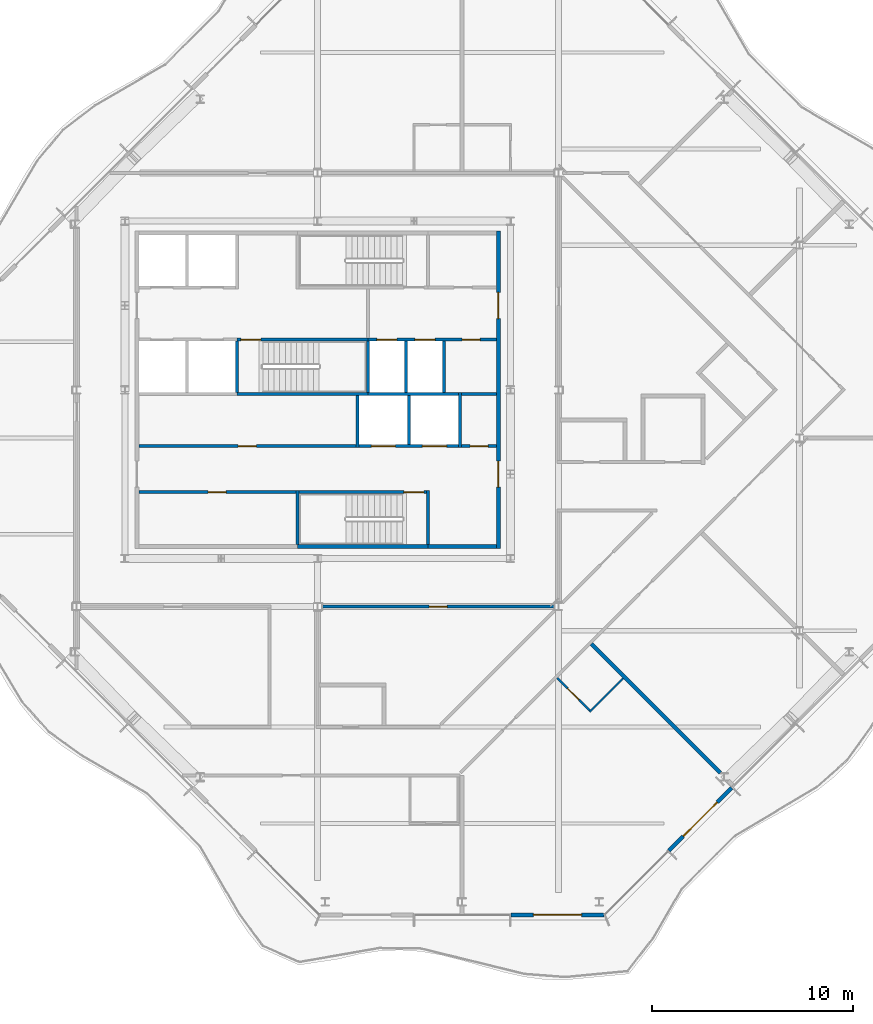
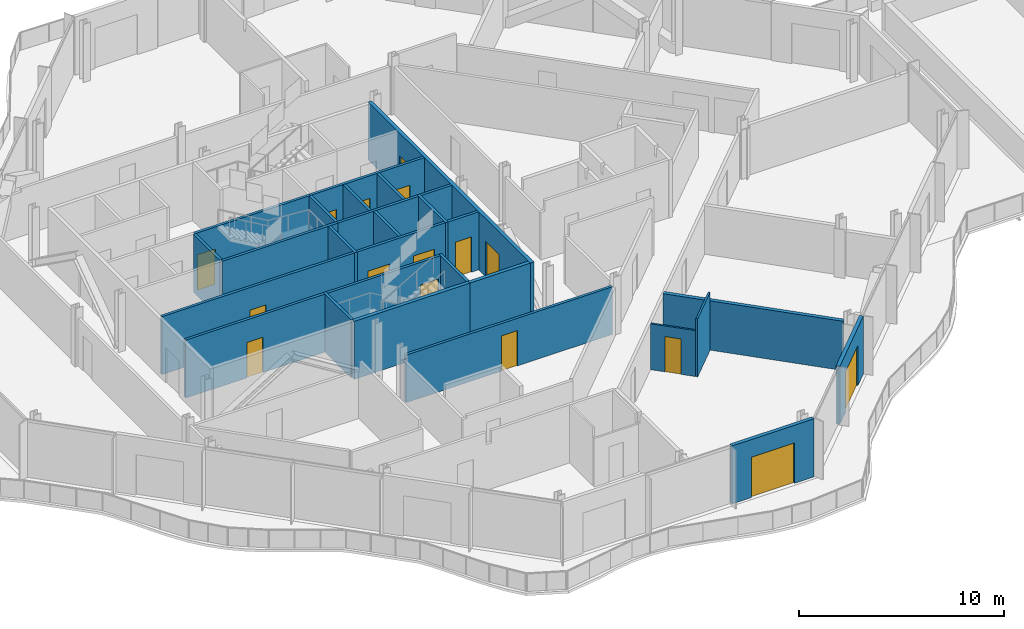
# One storey, part 8 of 16: 28 walls, 16 doors, 16 openings.
"""IFC4 building model written with IfcOpenShell, lengths in metres."""

from ifc_helpers import new_model, si_unit, direction, frame, frame_2d, origin, place, context, subcontext, project, spatial, rectangle, extrude, material, layer, layer_set, type_object, element, fill, save


model = new_model("IFC4")

# Units and contexts
model_context = context("Model", 3, precision=1e-05, world=origin(), true_north=direction((0.0, 1.0)))
body_context = subcontext(model_context, "Body", "Model", "MODEL_VIEW")
ifc_project = project(units=[si_unit("LENGTHUNIT", "METRE"), si_unit("AREAUNIT", "SQUARE_METRE"), si_unit("VOLUMEUNIT", "CUBIC_METRE"), si_unit("PLANEANGLEUNIT", "RADIAN"), si_unit("MASSUNIT", "GRAM", prefix="KILO")], contexts=[model_context])

# Site, building, storey
site_placement = place(None, origin())
site = spatial("IfcSite", under=ifc_project, at=site_placement, CompositionType="ELEMENT")
building_placement = place(site_placement, origin())
building = spatial("IfcBuilding", under=site, at=building_placement, Name="Cairn Pilgrim Tower", CompositionType="ELEMENT")
storey_placement = place(building_placement, frame((0.0, 0.0, 267.0)))
storey = spatial("IfcBuildingStorey", under=building, at=storey_placement, Name="L68", CompositionType="ELEMENT", Elevation=267.0)

# Wall, opening, door
ifc_material_1 = material(Name="Bronze anodised aluminium insulated sandwich panel with mineral wool fill", Category="aluminium")
ifc_layer_1 = layer(ifc_material_1, 0.199951171875)
ifc_layer_set_1 = layer_set([ifc_layer_1], Name="BRONZE INFILL FRAME WALL 200")
wall_type_1 = type_object("IfcWallType", Name="BRONZE INFILL FRAME WALL 200", PredefinedType="NOTDEFINED", material=ifc_layer_set_1)
wall_1_placement = place(storey_placement, frame((16.830078125, -23.75, 0.0), z_axis=(0.0, 0.0, 1.0), x_axis=(1.0, 0.0, 0.0)))
wall_1 = element("IfcWall", 1, at=wall_1_placement, inside=storey, type_object=wall_type_1, Name="Bronze infill frame wall IW-S3", PredefinedType="NOTDEFINED", context=body_context, shape_type="SweptSolid", body=[
    extrude(rectangle(XDim=4.62646484375, YDim=0.199951171875, at=frame_2d((2.313232421875, 0.0))), origin(), (0.0, 0.0, 1.0), 3.449951171875),
])
opening_1_placement = place(wall_1_placement, frame((1.117919921875, 0.0, 0.0)))
opening_1 = element("IfcOpeningElement", 2, at=opening_1_placement, cuts=wall_1, Name="Opening 6803B", PredefinedType="OPENING", context=body_context, shape_type="SweptSolid", body=[
    extrude(rectangle(XDim=2.39990234375, YDim=2.39990234375, at=frame_2d((1.199951171875, 1.199951171875))), frame((0.0, 0.10986328125, 0.0), z_axis=(0.0, -1.0, 0.0), x_axis=(1.0, 0.0, 0.0)), (0.0, 0.0, 1.0), 0.219970703125),
])
ifc_material_2 = material(Name="Bronze anodised aluminium frame with tinted low-E glass", Category="aluminium")
door_type_1 = type_object("IfcDoorType", Name="BALCONY SLIDING DOOR 2400x2400", OperationType="DOUBLE_DOOR_SLIDING", PredefinedType="DOOR", material=ifc_material_2)
door_1_placement = place(opening_1_placement, origin())
door_1 = element("IfcDoor", 3, at=door_1_placement, inside=storey, type_object=door_type_1, Name="Balcony sliding door 6803B", OperationType="SINGLE_SWING_LEFT", OverallHeight=2.39990234375, OverallWidth=2.39990234375, PredefinedType="DOOR", context=body_context, shape_type="SweptSolid", body=[
    extrude(rectangle(XDim=2.39990234375, YDim=2.39990234375, at=frame_2d((1.199951171875, 1.199951171875))), frame((0.0, 0.02490234375, 0.0), z_axis=(0.0, -1.0, 0.0), x_axis=(1.0, 0.0, 0.0)), (0.0, 0.0, 1.0), 0.050048828125),
])
fill(opening_1, door_1)

wall_2_placement = place(storey_placement, frame((24.693359375, -20.55322265625, 0.0), z_axis=(0.0, 0.0, 1.0), x_axis=(0.707079231393, 0.707134329907, 0.0)))
wall_2 = element("IfcWall", 4, at=wall_2_placement, inside=storey, type_object=wall_type_1, Name="Bronze infill frame wall IW-SE2", PredefinedType="NOTDEFINED", context=body_context, shape_type="SweptSolid", body=[
    extrude(rectangle(XDim=4.430908203125, YDim=0.199951171875, at=frame_2d((2.21533203125, 0.0))), origin(), (0.0, 0.0, 1.0), 3.449951171875),
])
opening_2_placement = place(wall_2_placement, frame((1.015380859375, 0.0, 0.0)))
opening_2 = element("IfcOpeningElement", 5, at=opening_2_placement, cuts=wall_2, Name="Opening 6803B2", PredefinedType="OPENING", context=body_context, shape_type="SweptSolid", body=[
    extrude(rectangle(XDim=2.39990234375, YDim=2.39990234375, at=frame_2d((1.199951171875, 1.199951171875))), frame((0.0, 0.10986328125, 0.0), z_axis=(0.0, -1.0, 0.0), x_axis=(1.0, 0.0, 0.0)), (0.0, 0.0, 1.0), 0.219970703125),
])
door_2_placement = place(opening_2_placement, origin())
door_2 = element("IfcDoor", 6, at=door_2_placement, inside=storey, type_object=door_type_1, Name="Balcony sliding door 6803B2", OperationType="SINGLE_SWING_LEFT", OverallHeight=2.39990234375, OverallWidth=2.39990234375, PredefinedType="DOOR", context=body_context, shape_type="SweptSolid", body=[
    extrude(rectangle(XDim=2.39990234375, YDim=2.39990234375, at=frame_2d((1.199951171875, 1.199951171875))), frame((0.0, 0.02490234375, 0.0), z_axis=(0.0, -1.0, 0.0), x_axis=(1.0, 0.0, 0.0)), (0.0, 0.0, 1.0), 0.050048828125),
])
fill(opening_2, door_2)

# Wall
ifc_material_3 = material(Name="Concrete C32/40", Category="concrete")
ifc_layer_2 = layer(ifc_material_3, 0.199951171875)
ifc_layer_set_2 = layer_set([ifc_layer_2], Name="CORE OUTER WALL 200 EI 120")
wall_type_2 = type_object("IfcWallType", Name="CORE OUTER WALL 200 EI 120", PredefinedType="SOLIDWALL", material=ifc_layer_set_2)
wall_3_placement = place(storey_placement, frame((12.699951171875, -5.39990234375, 0.0), z_axis=(0.0, 0.0, 1.0), x_axis=(1.0, 0.0, 0.0)))
element("IfcWall", 7, at=wall_3_placement, inside=storey, type_object=wall_type_2, Name="CW:L68:H01-3", PredefinedType="SOLIDWALL", context=body_context, shape_type="SweptSolid", body=[
    extrude(rectangle(XDim=3.400146484375, YDim=0.199951171875, at=frame_2d((1.7001953125, 0.0))), origin(), (0.0, 0.0, 1.0), 3.449951171875),
])

# Wall, openings, doors
wall_4_placement = place(storey_placement, frame((16.199951171875, -5.5, 0.0), z_axis=(0.0, 0.0, 1.0), x_axis=(0.0, 1.0, 0.0)))
wall_4 = element("IfcWall", 8, at=wall_4_placement, inside=storey, type_object=wall_type_2, Name="CW:L68:V29", PredefinedType="SOLIDWALL", context=body_context, shape_type="SweptSolid", body=[
    extrude(rectangle(XDim=15.800048828125, YDim=0.199951171875, at=frame_2d((7.89990234375, 0.0))), origin(), (0.0, 0.0, 1.0), 3.449951171875),
])
opening_3_placement = place(wall_4_placement, frame((3.050048828125, 0.0, 0.0)))
opening_3 = element("IfcOpeningElement", 9, at=opening_3_placement, cuts=wall_4, Name="Opening CD-E1", PredefinedType="OPENING", context=body_context, shape_type="SweptSolid", body=[
    extrude(rectangle(XDim=1.300048828125, YDim=2.10009765625, at=frame_2d((0.64990234375, 1.050048828125))), frame((0.0, 0.10986328125, 0.0), z_axis=(0.0, -1.0, 0.0), x_axis=(1.0, 0.0, 0.0)), (0.0, 0.0, 1.0), 0.219970703125),
])
opening_4_placement = place(wall_4_placement, frame((11.449951171875, 0.0, 0.0)))
opening_4 = element("IfcOpeningElement", 10, at=opening_4_placement, cuts=wall_4, Name="Opening CD-E2", PredefinedType="OPENING", context=body_context, shape_type="SweptSolid", body=[
    extrude(rectangle(XDim=1.300048828125, YDim=2.10009765625, at=frame_2d((0.64990234375, 1.050048828125))), frame((0.0, 0.10986328125, 0.0), z_axis=(0.0, -1.0, 0.0), x_axis=(1.0, 0.0, 0.0)), (0.0, 0.0, 1.0), 0.219970703125),
])
ifc_material_4 = material(Name="Painted steel", Category="steel")
door_type_2 = type_object("IfcDoorType", Name="CORE LOBBY DOOR 1300x2100", OperationType="DOUBLE_DOOR_SINGLE_SWING", PredefinedType="DOOR", material=ifc_material_4)
door_3_placement = place(opening_3_placement, origin())
door_3 = element("IfcDoor", 11, at=door_3_placement, inside=storey, type_object=door_type_2, Name="CD-E1", OperationType="DOUBLE_DOOR_SINGLE_SWING", OverallHeight=2.10009765625, OverallWidth=1.300048828125, PredefinedType="DOOR", context=body_context, shape_type="SweptSolid", body=[
    extrude(rectangle(XDim=1.300048828125, YDim=2.10009765625, at=frame_2d((0.64990234375, 1.050048828125))), frame((0.0, 0.02490234375, 0.0), z_axis=(0.0, -1.0, 0.0), x_axis=(1.0, 0.0, 0.0)), (0.0, 0.0, 1.0), 0.050048828125),
])
fill(opening_3, door_3)
door_4_placement = place(opening_4_placement, origin())
door_4 = element("IfcDoor", 12, at=door_4_placement, inside=storey, type_object=door_type_2, Name="CD-E2", OperationType="DOUBLE_DOOR_SINGLE_SWING", OverallHeight=2.10009765625, OverallWidth=1.300048828125, PredefinedType="DOOR", context=body_context, shape_type="SweptSolid", body=[
    extrude(rectangle(XDim=1.300048828125, YDim=2.10009765625, at=frame_2d((0.64990234375, 1.050048828125))), frame((0.0, 0.02490234375, 0.0), z_axis=(0.0, -1.0, 0.0), x_axis=(1.0, 0.0, 0.0)), (0.0, 0.0, 1.0), 0.050048828125),
])
fill(opening_4, door_4)

# Wall, opening, door
ifc_layer_3 = layer(ifc_material_3, 0.14990234375)
ifc_layer_set_3 = layer_set([ifc_layer_3], Name="CORE PARTITION 150 EI 60")
wall_type_3 = type_object("IfcWallType", Name="CORE PARTITION 150 EI 60", PredefinedType="PARTITIONING", material=ifc_layer_set_3)
wall_5_placement = place(storey_placement, frame((-1.699951171875, -2.699951171875, 0.0), z_axis=(0.0, 0.0, 1.0), x_axis=(1.0, 0.0, 0.0)))
wall_5 = element("IfcWall", 13, at=wall_5_placement, inside=storey, type_object=wall_type_3, Name="CW:L68:H02", PredefinedType="PARTITIONING", context=body_context, shape_type="SweptSolid", body=[
    extrude(rectangle(XDim=7.824951171875, YDim=0.14990234375, at=frame_2d((3.91259765625, 0.0))), origin(), (0.0, 0.0, 1.0), 3.449951171875),
])
opening_5_placement = place(wall_5_placement, frame((3.449951171875, 0.0, 0.0)))
opening_5 = element("IfcOpeningElement", 14, at=opening_5_placement, cuts=wall_5, Name="Opening RD-R1W1", PredefinedType="OPENING", context=body_context, shape_type="SweptSolid", body=[
    extrude(rectangle(XDim=0.89990234375, YDim=2.10009765625, at=frame_2d((0.449951171875, 1.050048828125))), frame((0.0, 0.0849609375, 0.0), z_axis=(0.0, -1.0, 0.0), x_axis=(1.0, 0.0, 0.0)), (0.0, 0.0, 1.0), 0.169921875),
])
door_type_3 = type_object("IfcDoorType", Name="SERVICE ROOM DOOR 900x2100", OperationType="SINGLE_SWING_LEFT", PredefinedType="DOOR", material=ifc_material_4)
door_5_placement = place(opening_5_placement, origin())
door_5 = element("IfcDoor", 15, at=door_5_placement, inside=storey, type_object=door_type_3, Name="RD-R1W1", OperationType="SINGLE_SWING_LEFT", OverallHeight=2.10009765625, OverallWidth=0.89990234375, PredefinedType="DOOR", context=body_context, shape_type="SweptSolid", body=[
    extrude(rectangle(XDim=0.89990234375, YDim=2.10009765625, at=frame_2d((0.449951171875, 1.050048828125))), frame((0.0, 0.02490234375, 0.0), z_axis=(0.0, -1.0, 0.0), x_axis=(1.0, 0.0, 0.0)), (0.0, 0.0, 1.0), 0.050048828125),
])
fill(opening_5, door_5)

wall_6_placement = place(storey_placement, frame((-1.699951171875, -0.39990234375, 0.0), z_axis=(0.0, 0.0, 1.0), x_axis=(1.0, 0.0, 0.0)))
wall_6 = element("IfcWall", 16, at=wall_6_placement, inside=storey, type_object=wall_type_3, Name="CW:L68:H04", PredefinedType="PARTITIONING", context=body_context, shape_type="SweptSolid", body=[
    extrude(rectangle(XDim=10.824951171875, YDim=0.14990234375, at=frame_2d((5.41259765625, 0.0))), origin(), (0.0, 0.0, 1.0), 3.449951171875),
])
opening_6_placement = place(wall_6_placement, frame((4.949951171875, 0.0, 0.0)))
opening_6 = element("IfcOpeningElement", 17, at=opening_6_placement, cuts=wall_6, Name="Opening RD-R2W1", PredefinedType="OPENING", context=body_context, shape_type="SweptSolid", body=[
    extrude(rectangle(XDim=0.89990234375, YDim=2.10009765625, at=frame_2d((0.449951171875, 1.050048828125))), frame((0.0, 0.0849609375, 0.0), z_axis=(0.0, -1.0, 0.0), x_axis=(1.0, 0.0, 0.0)), (0.0, 0.0, 1.0), 0.169921875),
])
door_6_placement = place(opening_6_placement, origin())
door_6 = element("IfcDoor", 18, at=door_6_placement, inside=storey, type_object=door_type_3, Name="RD-R2W1", OperationType="SINGLE_SWING_RIGHT", OverallHeight=2.10009765625, OverallWidth=0.89990234375, PredefinedType="DOOR", context=body_context, shape_type="SweptSolid", body=[
    extrude(rectangle(XDim=0.89990234375, YDim=2.10009765625, at=frame_2d((0.449951171875, 1.050048828125))), frame((0.0, 0.02490234375, 0.0), z_axis=(0.0, -1.0, 0.0), x_axis=(1.0, 0.0, 0.0)), (0.0, 0.0, 1.0), 0.050048828125),
])
fill(opening_6, door_6)

wall_7_placement = place(storey_placement, frame((14.375, -0.39990234375, 0.0), z_axis=(0.0, 0.0, 1.0), x_axis=(1.0, 0.0, 0.0)))
wall_7 = element("IfcWall", 19, at=wall_7_placement, inside=storey, type_object=wall_type_3, Name="CW:L68:H06", PredefinedType="PARTITIONING", context=body_context, shape_type="SweptSolid", body=[
    extrude(rectangle(XDim=1.72509765625, YDim=0.14990234375, at=frame_2d((0.862548828125, 0.0))), origin(), (0.0, 0.0, 1.0), 3.449951171875),
])
opening_7_placement = place(wall_7_placement, frame((0.425048828125, 0.0, 0.0)))
opening_7 = element("IfcOpeningElement", 20, at=opening_7_placement, cuts=wall_7, Name="Opening RD-R2E", PredefinedType="OPENING", context=body_context, shape_type="SweptSolid", body=[
    extrude(rectangle(XDim=0.89990234375, YDim=2.10009765625, at=frame_2d((0.449951171875, 1.050048828125))), frame((0.0, 0.0849609375, 0.0), z_axis=(0.0, -1.0, 0.0), x_axis=(1.0, 0.0, 0.0)), (0.0, 0.0, 1.0), 0.169921875),
])
door_7_placement = place(opening_7_placement, origin())
door_7 = element("IfcDoor", 21, at=door_7_placement, inside=storey, type_object=door_type_3, Name="RD-R2E", OperationType="SINGLE_SWING_RIGHT", OverallHeight=2.10009765625, OverallWidth=0.89990234375, PredefinedType="DOOR", context=body_context, shape_type="SweptSolid", body=[
    extrude(rectangle(XDim=0.89990234375, YDim=2.10009765625, at=frame_2d((0.449951171875, 1.050048828125))), frame((0.0, 0.02490234375, 0.0), z_axis=(0.0, -1.0, 0.0), x_axis=(1.0, 0.0, 0.0)), (0.0, 0.0, 1.0), 0.050048828125),
])
fill(opening_7, door_7)

# Wall
wall_8_placement = place(storey_placement, frame((14.375, 2.199951171875, 0.0), z_axis=(0.0, 0.0, 1.0), x_axis=(1.0, 0.0, 0.0)))
element("IfcWall", 22, at=wall_8_placement, inside=storey, type_object=wall_type_3, Name="CW:L68:H08", PredefinedType="PARTITIONING", context=body_context, shape_type="SweptSolid", body=[
    extrude(rectangle(XDim=1.72509765625, YDim=0.14990234375, at=frame_2d((0.862548828125, 0.0))), origin(), (0.0, 0.0, 1.0), 3.449951171875),
])

# Wall, openings, doors
ifc_layer_4 = layer(ifc_material_3, 0.14990234375)
ifc_layer_set_4 = layer_set([ifc_layer_4], Name="CORE SHAFT WALL 150 EI 120")
wall_type_4 = type_object("IfcWallType", Name="CORE SHAFT WALL 150 EI 120", PredefinedType="SOLIDWALL", material=ifc_layer_set_4)
wall_9_placement = place(storey_placement, frame((9.27490234375, -0.39990234375, 0.0), z_axis=(0.0, 0.0, 1.0), x_axis=(1.0, 0.0, 0.0)))
wall_9 = element("IfcWall", 23, at=wall_9_placement, inside=storey, type_object=wall_type_4, Name="CW:L68:H05", PredefinedType="SOLIDWALL", context=body_context, shape_type="SweptSolid", body=[
    extrude(rectangle(XDim=4.9501953125, YDim=0.14990234375, at=frame_2d((2.47509765625, 0.0))), origin(), (0.0, 0.0, 1.0), 3.449951171875),
])
opening_8_placement = place(wall_9_placement, frame((0.60009765625, 0.0, 0.0)))
opening_8 = element("IfcOpeningElement", 24, at=opening_8_placement, cuts=wall_9, Name="Opening LD-SV1", PredefinedType="OPENING", context=body_context, shape_type="SweptSolid", body=[
    extrude(rectangle(XDim=1.199951171875, YDim=2.10009765625, at=frame_2d((0.60009765625, 1.050048828125))), frame((0.0, 0.0849609375, 0.0), z_axis=(0.0, -1.0, 0.0), x_axis=(1.0, 0.0, 0.0)), (0.0, 0.0, 1.0), 0.169921875),
])
opening_9_placement = place(wall_9_placement, frame((3.14990234375, 0.0, 0.0)))
opening_9 = element("IfcOpeningElement", 25, at=opening_9_placement, cuts=wall_9, Name="Opening LD-SV2", PredefinedType="OPENING", context=body_context, shape_type="SweptSolid", body=[
    extrude(rectangle(XDim=1.199951171875, YDim=2.10009765625, at=frame_2d((0.60009765625, 1.050048828125))), frame((0.0, 0.0849609375, 0.0), z_axis=(0.0, -1.0, 0.0), x_axis=(1.0, 0.0, 0.0)), (0.0, 0.0, 1.0), 0.169921875),
])
ifc_material_5 = material(Name="Stainless steel", Category="steel")
door_type_4 = type_object("IfcDoorType", Name="LIFT LANDING DOOR 1200x2100", OperationType="DOUBLE_DOOR_SLIDING", PredefinedType="DOOR", material=ifc_material_5)
door_8_placement = place(opening_8_placement, origin())
door_8 = element("IfcDoor", 26, at=door_8_placement, inside=storey, type_object=door_type_4, Name="LANDING DOOR SV1", OperationType="DOUBLE_DOOR_SLIDING", OverallHeight=2.10009765625, OverallWidth=1.199951171875, PredefinedType="DOOR", context=body_context, shape_type="SweptSolid", body=[
    extrude(rectangle(XDim=1.199951171875, YDim=2.10009765625, at=frame_2d((0.60009765625, 1.050048828125))), frame((0.0, 0.02490234375, 0.0), z_axis=(0.0, -1.0, 0.0), x_axis=(1.0, 0.0, 0.0)), (0.0, 0.0, 1.0), 0.050048828125),
])
fill(opening_8, door_8)
door_9_placement = place(opening_9_placement, origin())
door_9 = element("IfcDoor", 27, at=door_9_placement, inside=storey, type_object=door_type_4, Name="LANDING DOOR SV2", OperationType="DOUBLE_DOOR_SLIDING", OverallHeight=2.10009765625, OverallWidth=1.199951171875, PredefinedType="DOOR", context=body_context, shape_type="SweptSolid", body=[
    extrude(rectangle(XDim=1.199951171875, YDim=2.10009765625, at=frame_2d((0.60009765625, 1.050048828125))), frame((0.0, 0.02490234375, 0.0), z_axis=(0.0, -1.0, 0.0), x_axis=(1.0, 0.0, 0.0)), (0.0, 0.0, 1.0), 0.050048828125),
])
fill(opening_9, door_9)

# Wall
wall_10_placement = place(storey_placement, frame((9.699951171875, 2.199951171875, 0.0), z_axis=(0.0, 0.0, 1.0), x_axis=(1.0, 0.0, 0.0)))
element("IfcWall", 28, at=wall_10_placement, inside=storey, type_object=wall_type_4, Name="CW:L68:H07-3", PredefinedType="SOLIDWALL", context=body_context, shape_type="SweptSolid", body=[
    extrude(rectangle(XDim=4.525146484375, YDim=0.14990234375, at=frame_2d((2.2626953125, 0.0))), origin(), (0.0, 0.0, 1.0), 3.449951171875),
])

# Wall, openings, doors
wall_11_placement = place(storey_placement, frame((9.699951171875, 4.89990234375, 0.0), z_axis=(0.0, 0.0, 1.0), x_axis=(1.0, 0.0, 0.0)))
wall_11 = element("IfcWall", 29, at=wall_11_placement, inside=storey, type_object=wall_type_4, Name="CW:L68:H09-3", PredefinedType="SOLIDWALL", context=body_context, shape_type="SweptSolid", body=[
    extrude(rectangle(XDim=6.400146484375, YDim=0.14990234375, at=frame_2d((3.2001953125, 0.0))), origin(), (0.0, 0.0, 1.0), 3.449951171875),
])
opening_10_placement = place(wall_11_placement, frame((0.449951171875, 0.0, 0.0)))
opening_10 = element("IfcOpeningElement", 30, at=opening_10_placement, cuts=wall_11, Name="Opening LD-FF1", PredefinedType="OPENING", context=body_context, shape_type="SweptSolid", body=[
    extrude(rectangle(XDim=1.0, YDim=2.10009765625, at=frame_2d((0.5, 1.050048828125))), frame((0.0, 0.0849609375, 0.0), z_axis=(0.0, -1.0, 0.0), x_axis=(1.0, 0.0, 0.0)), (0.0, 0.0, 1.0), 0.169921875),
])
opening_11_placement = place(wall_11_placement, frame((2.35009765625, 0.0, 0.0)))
opening_11 = element("IfcOpeningElement", 31, at=opening_11_placement, cuts=wall_11, Name="Opening LD-FF2", PredefinedType="OPENING", context=body_context, shape_type="SweptSolid", body=[
    extrude(rectangle(XDim=1.0, YDim=2.10009765625, at=frame_2d((0.5, 1.050048828125))), frame((0.0, 0.0849609375, 0.0), z_axis=(0.0, -1.0, 0.0), x_axis=(1.0, 0.0, 0.0)), (0.0, 0.0, 1.0), 0.169921875),
])
opening_12_placement = place(wall_11_placement, frame((4.699951171875, 0.0, 0.0)))
opening_12 = element("IfcOpeningElement", 32, at=opening_12_placement, cuts=wall_11, Name="Opening RD-R3E", PredefinedType="OPENING", context=body_context, shape_type="SweptSolid", body=[
    extrude(rectangle(XDim=0.89990234375, YDim=2.10009765625, at=frame_2d((0.449951171875, 1.050048828125))), frame((0.0, 0.0849609375, 0.0), z_axis=(0.0, -1.0, 0.0), x_axis=(1.0, 0.0, 0.0)), (0.0, 0.0, 1.0), 0.169921875),
])
door_type_5 = type_object("IfcDoorType", Name="LIFT LANDING DOOR FIRE 1000x2100", OperationType="DOUBLE_DOOR_SLIDING", PredefinedType="DOOR", material=ifc_material_5)
door_10_placement = place(opening_10_placement, origin())
door_10 = element("IfcDoor", 33, at=door_10_placement, inside=storey, type_object=door_type_5, Name="LANDING DOOR FF1", OperationType="DOUBLE_DOOR_SLIDING", OverallHeight=2.10009765625, OverallWidth=1.0, PredefinedType="DOOR", context=body_context, shape_type="SweptSolid", body=[
    extrude(rectangle(XDim=1.0, YDim=2.10009765625, at=frame_2d((0.5, 1.050048828125))), frame((0.0, 0.02490234375, 0.0), z_axis=(0.0, -1.0, 0.0), x_axis=(1.0, 0.0, 0.0)), (0.0, 0.0, 1.0), 0.050048828125),
])
fill(opening_10, door_10)
door_11_placement = place(opening_11_placement, origin())
door_11 = element("IfcDoor", 34, at=door_11_placement, inside=storey, type_object=door_type_5, Name="LANDING DOOR FF2", OperationType="DOUBLE_DOOR_SLIDING", OverallHeight=2.10009765625, OverallWidth=1.0, PredefinedType="DOOR", context=body_context, shape_type="SweptSolid", body=[
    extrude(rectangle(XDim=1.0, YDim=2.10009765625, at=frame_2d((0.5, 1.050048828125))), frame((0.0, 0.02490234375, 0.0), z_axis=(0.0, -1.0, 0.0), x_axis=(1.0, 0.0, 0.0)), (0.0, 0.0, 1.0), 0.050048828125),
])
fill(opening_11, door_11)
door_12_placement = place(opening_12_placement, origin())
door_12 = element("IfcDoor", 35, at=door_12_placement, inside=storey, type_object=door_type_3, Name="RD-R3E", OperationType="SINGLE_SWING_LEFT", OverallHeight=2.10009765625, OverallWidth=0.89990234375, PredefinedType="DOOR", context=body_context, shape_type="SweptSolid", body=[
    extrude(rectangle(XDim=0.89990234375, YDim=2.10009765625, at=frame_2d((0.449951171875, 1.050048828125))), frame((0.0, 0.02490234375, 0.0), z_axis=(0.0, -1.0, 0.0), x_axis=(1.0, 0.0, 0.0)), (0.0, 0.0, 1.0), 0.050048828125),
])
fill(opening_12, door_12)

# Walls
wall_12_placement = place(storey_placement, frame((9.199951171875, -0.47509765625, 0.0), z_axis=(0.0, 0.0, 1.0), x_axis=(0.0, 1.0, 0.0)))
element("IfcWall", 36, at=wall_12_placement, inside=storey, type_object=wall_type_4, Name="CW:L68:V20", PredefinedType="SOLIDWALL", context=body_context, shape_type="SweptSolid", body=[
    extrude(rectangle(XDim=2.60009765625, YDim=0.14990234375, at=frame_2d((1.300048828125, 0.0))), origin(), (0.0, 0.0, 1.0), 3.449951171875),
])
wall_13_placement = place(storey_placement, frame((11.60009765625, 2.27490234375, 0.0), z_axis=(0.0, 0.0, 1.0), x_axis=(0.0, 1.0, 0.0)))
element("IfcWall", 37, at=wall_13_placement, inside=storey, type_object=wall_type_4, Name="CW:L68:V23", PredefinedType="SOLIDWALL", context=body_context, shape_type="SweptSolid", body=[
    extrude(rectangle(XDim=2.550048828125, YDim=0.14990234375, at=frame_2d((1.27490234375, 0.0))), origin(), (0.0, 0.0, 1.0), 3.449951171875),
])
wall_14_placement = place(storey_placement, frame((11.75, -0.324951171875, 0.0), z_axis=(0.0, 0.0, 1.0), x_axis=(0.0, 1.0, 0.0)))
element("IfcWall", 38, at=wall_14_placement, inside=storey, type_object=wall_type_4, Name="CW:L68:V24", PredefinedType="SOLIDWALL", context=body_context, shape_type="SweptSolid", body=[
    extrude(rectangle(XDim=2.449951171875, YDim=0.14990234375, at=frame_2d((1.22509765625, 0.0))), origin(), (0.0, 0.0, 1.0), 3.449951171875),
])
wall_15_placement = place(storey_placement, frame((13.5, 2.27490234375, 0.0), z_axis=(0.0, 0.0, 1.0), x_axis=(0.0, 1.0, 0.0)))
element("IfcWall", 39, at=wall_15_placement, inside=storey, type_object=wall_type_4, Name="CW:L68:V27", PredefinedType="SOLIDWALL", context=body_context, shape_type="SweptSolid", body=[
    extrude(rectangle(XDim=2.550048828125, YDim=0.14990234375, at=frame_2d((1.27490234375, 0.0))), origin(), (0.0, 0.0, 1.0), 3.449951171875),
])
wall_16_placement = place(storey_placement, frame((14.300048828125, -0.47509765625, 0.0), z_axis=(0.0, 0.0, 1.0), x_axis=(0.0, 1.0, 0.0)))
element("IfcWall", 40, at=wall_16_placement, inside=storey, type_object=wall_type_4, Name="CW:L68:V28", PredefinedType="SOLIDWALL", context=body_context, shape_type="SweptSolid", body=[
    extrude(rectangle(XDim=2.75, YDim=0.14990234375, at=frame_2d((1.375, 0.0))), origin(), (0.0, 0.0, 1.0), 3.449951171875),
])

# Wall, opening, door
ifc_material_6 = material(Name="Gypsum partition")
ifc_layer_5 = layer(ifc_material_6, 0.10009765625)
ifc_layer_set_5 = layer_set([ifc_layer_5], Name="PARTITION 100 DRYWALL")
wall_type_5 = type_object("IfcWallType", Name="PARTITION 100 DRYWALL", PredefinedType="PARTITIONING", material=ifc_layer_set_5)
wall_17_placement = place(storey_placement, frame((20.74951171875, -13.567626953125, 0.0), z_axis=(0.0, 0.0, 1.0), x_axis=(-0.707053116953, 0.707160441348, 0.0)))
wall_17 = element("IfcWall", 41, at=wall_17_placement, inside=storey, type_object=wall_type_5, Name="PARTITION W018", PredefinedType="PARTITIONING", context=body_context, shape_type="SweptSolid", body=[
    extrude(rectangle(XDim=2.27490234375, YDim=0.10009765625, at=frame_2d((1.137451171875, 0.0))), origin(), (0.0, 0.0, 1.0), 2.72998046875),
])
opening_13_placement = place(wall_17_placement, frame((0.75, 0.0, 0.0)))
opening_13 = element("IfcOpeningElement", 42, at=opening_13_placement, cuts=wall_17, Name="Opening 6803A", PredefinedType="OPENING", context=body_context, shape_type="SweptSolid", body=[
    extrude(rectangle(XDim=0.800048828125, YDim=2.10009765625, at=frame_2d((0.39990234375, 1.050048828125))), frame((0.0, 0.06005859375, 0.0), z_axis=(0.0, -1.0, 0.0), x_axis=(1.0, 0.0, 0.0)), (0.0, 0.0, 1.0), 0.1201171875),
])
ifc_material_7 = material(Name="Timber door leaf", Category="wood")
door_type_6 = type_object("IfcDoorType", Name="WC DOOR 800x2100", OperationType="NOTDEFINED", PredefinedType="DOOR", material=ifc_material_7)
door_13_placement = place(opening_13_placement, origin())
door_13 = element("IfcDoor", 43, at=door_13_placement, inside=storey, type_object=door_type_6, Name="DOOR 6803A", OperationType="SINGLE_SWING_RIGHT", OverallHeight=2.10009765625, OverallWidth=0.800048828125, PredefinedType="DOOR", context=body_context, shape_type="SweptSolid", body=[
    extrude(rectangle(XDim=0.800048828125, YDim=2.10009765625, at=frame_2d((0.39990234375, 1.050048828125))), frame((0.0, 0.02490234375, 0.0), z_axis=(0.0, -1.0, 0.0), x_axis=(1.0, 0.0, 0.0)), (0.0, 0.0, 1.0), 0.050048828125),
])
fill(opening_13, door_13)

# Wall
wall_18_placement = place(storey_placement, frame((20.74951171875, -13.638427734375, 0.0), z_axis=(0.0, 0.0, 1.0), x_axis=(0.707158722772, 0.707054835785, 0.0)))
element("IfcWall", 44, at=wall_18_placement, inside=storey, type_object=wall_type_5, Name="PARTITION W019", PredefinedType="PARTITIONING", context=body_context, shape_type="SweptSolid", body=[
    extrude(rectangle(XDim=2.35009765625, YDim=0.10009765625, at=frame_2d((1.175048828125, 0.0))), origin(), (0.0, 0.0, 1.0), 3.449951171875),
])

# Wall, opening, door
ifc_layer_6 = layer(ifc_material_6, 0.14990234375)
ifc_layer_set_6 = layer_set([ifc_layer_6], Name="PARTITION 150 DRYWALL EI 60")
wall_type_6 = type_object("IfcWallType", Name="PARTITION 150 DRYWALL EI 60", PredefinedType="PARTITIONING", material=ifc_layer_set_6)
wall_19_placement = place(storey_placement, frame((7.39697265625, -8.39990234375, 0.0), z_axis=(0.0, 0.0, 1.0), x_axis=(1.0, 0.0, 0.0)))
wall_19 = element("IfcWall", 45, at=wall_19_placement, inside=storey, type_object=wall_type_6, Name="PARTITION W026", PredefinedType="PARTITIONING", context=body_context, shape_type="SweptSolid", body=[
    extrude(rectangle(XDim=11.60595703125, YDim=0.14990234375, at=frame_2d((5.802978515625, 0.0))), origin(), (0.0, 0.0, 1.0), 2.830078125),
])
opening_14_placement = place(wall_19_placement, frame((5.35302734375, 0.0, 0.0)))
opening_14 = element("IfcOpeningElement", 46, at=opening_14_placement, cuts=wall_19, Name="Opening 6817", PredefinedType="OPENING", context=body_context, shape_type="SweptSolid", body=[
    extrude(rectangle(XDim=0.89990234375, YDim=2.10009765625, at=frame_2d((0.449951171875, 1.050048828125))), frame((0.0, 0.0849609375, 0.0), z_axis=(0.0, -1.0, 0.0), x_axis=(1.0, 0.0, 0.0)), (0.0, 0.0, 1.0), 0.169921875),
])
door_type_7 = type_object("IfcDoorType", Name="SERVICE DOOR 900x2100 FD30S", OperationType="NOTDEFINED", PredefinedType="DOOR", material=ifc_material_7)
door_14_placement = place(opening_14_placement, frame((0.89990234375, 0.0, 0.0), z_axis=(0.0, 0.0, 1.0), x_axis=(-1.0, 0.0, 0.0)))
door_14 = element("IfcDoor", 47, at=door_14_placement, inside=storey, type_object=door_type_7, Name="DOOR 6817", OperationType="SINGLE_SWING_LEFT", OverallHeight=2.10009765625, OverallWidth=0.89990234375, PredefinedType="DOOR", context=body_context, shape_type="SweptSolid", body=[
    extrude(rectangle(XDim=0.89990234375, YDim=2.10009765625, at=frame_2d((0.449951171875, 1.050048828125))), frame((0.0, 0.02490234375, 0.0), z_axis=(0.0, -1.0, 0.0), x_axis=(1.0, 0.0, 0.0)), (0.0, 0.0, 1.0), 0.050048828125),
])
fill(opening_14, door_14)

# Wall
ifc_layer_7 = layer(ifc_material_6, 0.199951171875)
ifc_layer_set_7 = layer_set([ifc_layer_7], Name="SHAFT WALL 200 GYPSUM EI 60")
wall_type_7 = type_object("IfcWallType", Name="SHAFT WALL 200 GYPSUM EI 60", PredefinedType="PARTITIONING", material=ifc_layer_set_7)
wall_20_placement = place(storey_placement, frame((27.253662109375, -16.677490234375, 0.0), z_axis=(0.0, 0.0, 1.0), x_axis=(-0.707120235152, 0.707093326965, 0.0)))
element("IfcWall", 48, at=wall_20_placement, inside=storey, type_object=wall_type_7, Name="PARTITION W010", PredefinedType="PARTITIONING", context=body_context, shape_type="SweptSolid", body=[
    extrude(rectangle(XDim=9.072998046875, YDim=0.199951171875, at=frame_2d((4.53662109375, 0.0))), origin(), (0.0, 0.0, 1.0), 2.929931640625),
])

# Wall, opening, door
ifc_material_8 = material(Name="Concrete C35/45", Category="concrete")
ifc_layer_8 = layer(ifc_material_8, 0.14990234375)
ifc_layer_set_8 = layer_set([ifc_layer_8], Name="STAIR SHAFT WALL 150 EI 120")
wall_type_8 = type_object("IfcWallType", Name="STAIR SHAFT WALL 150 EI 120", PredefinedType="SOLIDWALL", material=ifc_layer_set_8)
wall_21_placement = place(storey_placement, frame((6.27490234375, -2.699951171875, 0.0), z_axis=(0.0, 0.0, 1.0), x_axis=(1.0, 0.0, 0.0)))
wall_21 = element("IfcWall", 49, at=wall_21_placement, inside=storey, type_object=wall_type_8, Name="CW:L68:H03", PredefinedType="SOLIDWALL", context=body_context, shape_type="SweptSolid", body=[
    extrude(rectangle(XDim=6.35009765625, YDim=0.14990234375, at=frame_2d((3.175048828125, 0.0))), origin(), (0.0, 0.0, 1.0), 3.449951171875),
])
opening_15_placement = place(wall_21_placement, frame((5.22509765625, 0.0, 0.0)))
opening_15 = element("IfcOpeningElement", 50, at=opening_15_placement, cuts=wall_21, Name="Opening SD-A", PredefinedType="OPENING", context=body_context, shape_type="SweptSolid", body=[
    extrude(rectangle(XDim=1.0, YDim=2.10009765625, at=frame_2d((0.5, 1.050048828125))), frame((0.0, 0.0849609375, 0.0), z_axis=(0.0, -1.0, 0.0), x_axis=(1.0, 0.0, 0.0)), (0.0, 0.0, 1.0), 0.169921875),
])
door_type_8 = type_object("IfcDoorType", Name="STAIR DOOR FD60S 1000x2100", OperationType="SINGLE_SWING_LEFT", PredefinedType="DOOR", material=ifc_material_4)
door_15_placement = place(opening_15_placement, origin())
door_15 = element("IfcDoor", 51, at=door_15_placement, inside=storey, type_object=door_type_8, Name="SD-A", OperationType="SINGLE_SWING_LEFT", OverallHeight=2.10009765625, OverallWidth=1.0, PredefinedType="DOOR", context=body_context, shape_type="SweptSolid", body=[
    extrude(rectangle(XDim=1.0, YDim=2.10009765625, at=frame_2d((0.5, 1.050048828125))), frame((0.0, 0.02490234375, 0.0), z_axis=(0.0, -1.0, 0.0), x_axis=(1.0, 0.0, 0.0)), (0.0, 0.0, 1.0), 0.050048828125),
])
fill(opening_15, door_15)

# Wall
wall_22_placement = place(storey_placement, frame((3.199951171875, 2.199951171875, 0.0), z_axis=(0.0, 0.0, 1.0), x_axis=(1.0, 0.0, 0.0)))
element("IfcWall", 52, at=wall_22_placement, inside=storey, type_object=wall_type_8, Name="CW:L68:H07-2", PredefinedType="SOLIDWALL", context=body_context, shape_type="SweptSolid", body=[
    extrude(rectangle(XDim=6.5, YDim=0.14990234375, at=frame_2d((3.25, 0.0))), origin(), (0.0, 0.0, 1.0), 3.449951171875),
])

# Wall, opening, door
wall_23_placement = place(storey_placement, frame((3.199951171875, 4.89990234375, 0.0), z_axis=(0.0, 0.0, 1.0), x_axis=(1.0, 0.0, 0.0)))
wall_23 = element("IfcWall", 53, at=wall_23_placement, inside=storey, type_object=wall_type_8, Name="CW:L68:H09-2", PredefinedType="SOLIDWALL", context=body_context, shape_type="SweptSolid", body=[
    extrude(rectangle(XDim=6.5, YDim=0.14990234375, at=frame_2d((3.25, 0.0))), origin(), (0.0, 0.0, 1.0), 3.449951171875),
])
opening_16_placement = place(wall_23_placement, frame((0.175048828125, 0.0, 0.0)))
opening_16 = element("IfcOpeningElement", 54, at=opening_16_placement, cuts=wall_23, Name="Opening SD-B", PredefinedType="OPENING", context=body_context, shape_type="SweptSolid", body=[
    extrude(rectangle(XDim=1.0, YDim=2.10009765625, at=frame_2d((0.5, 1.050048828125))), frame((0.0, 0.0849609375, 0.0), z_axis=(0.0, -1.0, 0.0), x_axis=(1.0, 0.0, 0.0)), (0.0, 0.0, 1.0), 0.169921875),
])
door_16_placement = place(opening_16_placement, origin())
door_16 = element("IfcDoor", 55, at=door_16_placement, inside=storey, type_object=door_type_8, Name="SD-B", OperationType="SINGLE_SWING_RIGHT", OverallHeight=2.10009765625, OverallWidth=1.0, PredefinedType="DOOR", context=body_context, shape_type="SweptSolid", body=[
    extrude(rectangle(XDim=1.0, YDim=2.10009765625, at=frame_2d((0.5, 1.050048828125))), frame((0.0, 0.02490234375, 0.0), z_axis=(0.0, -1.0, 0.0), x_axis=(1.0, 0.0, 0.0)), (0.0, 0.0, 1.0), 0.050048828125),
])
fill(opening_16, door_16)

# Walls
wall_24_placement = place(storey_placement, frame((3.199951171875, 2.27490234375, 0.0), z_axis=(0.0, 0.0, 1.0), x_axis=(0.0, 1.0, 0.0)))
element("IfcWall", 56, at=wall_24_placement, inside=storey, type_object=wall_type_8, Name="CW:L68:V16", PredefinedType="SOLIDWALL", context=body_context, shape_type="SweptSolid", body=[
    extrude(rectangle(XDim=2.550048828125, YDim=0.14990234375, at=frame_2d((1.27490234375, 0.0))), origin(), (0.0, 0.0, 1.0), 3.449951171875),
])
wall_25_placement = place(storey_placement, frame((6.199951171875, -5.300048828125, 0.0), z_axis=(0.0, 0.0, 1.0), x_axis=(0.0, 1.0, 0.0)))
element("IfcWall", 57, at=wall_25_placement, inside=storey, type_object=wall_type_8, Name="CW:L68:V18", PredefinedType="SOLIDWALL", context=body_context, shape_type="SweptSolid", body=[
    extrude(rectangle(XDim=2.675048828125, YDim=0.14990234375, at=frame_2d((1.33740234375, 0.0))), origin(), (0.0, 0.0, 1.0), 3.449951171875),
])
wall_26_placement = place(storey_placement, frame((9.699951171875, 2.27490234375, 0.0), z_axis=(0.0, 0.0, 1.0), x_axis=(0.0, 1.0, 0.0)))
element("IfcWall", 58, at=wall_26_placement, inside=storey, type_object=wall_type_8, Name="CW:L68:V21", PredefinedType="SOLIDWALL", context=body_context, shape_type="SweptSolid", body=[
    extrude(rectangle(XDim=2.550048828125, YDim=0.14990234375, at=frame_2d((1.27490234375, 0.0))), origin(), (0.0, 0.0, 1.0), 3.449951171875),
])
wall_27_placement = place(storey_placement, frame((12.699951171875, -5.300048828125, 0.0), z_axis=(0.0, 0.0, 1.0), x_axis=(0.0, 1.0, 0.0)))
element("IfcWall", 59, at=wall_27_placement, inside=storey, type_object=wall_type_8, Name="CW:L68:V25", PredefinedType="SOLIDWALL", context=body_context, shape_type="SweptSolid", body=[
    extrude(rectangle(XDim=2.675048828125, YDim=0.14990234375, at=frame_2d((1.33740234375, 0.0))), origin(), (0.0, 0.0, 1.0), 3.449951171875),
])
ifc_layer_9 = layer(ifc_material_8, 0.199951171875)
ifc_layer_set_9 = layer_set([ifc_layer_9], Name="STAIR SHAFT WALL 200 EI 120")
wall_type_9 = type_object("IfcWallType", Name="STAIR SHAFT WALL 200 EI 120", PredefinedType="SOLIDWALL", material=ifc_layer_set_9)
wall_28_placement = place(storey_placement, frame((6.199951171875, -5.39990234375, 0.0), z_axis=(0.0, 0.0, 1.0), x_axis=(1.0, 0.0, 0.0)))
element("IfcWall", 60, at=wall_28_placement, inside=storey, type_object=wall_type_9, Name="CW:L68:H01-2", PredefinedType="SOLIDWALL", context=body_context, shape_type="SweptSolid", body=[
    extrude(rectangle(XDim=6.5, YDim=0.199951171875, at=frame_2d((3.25, 0.0))), origin(), (0.0, 0.0, 1.0), 3.449951171875),
])

save(model, "model.ifc")
